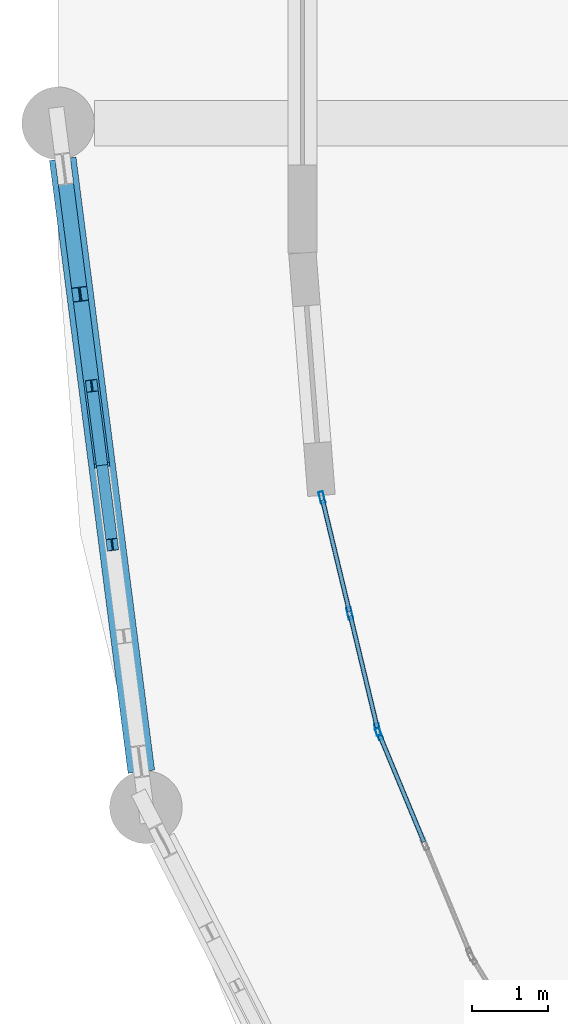
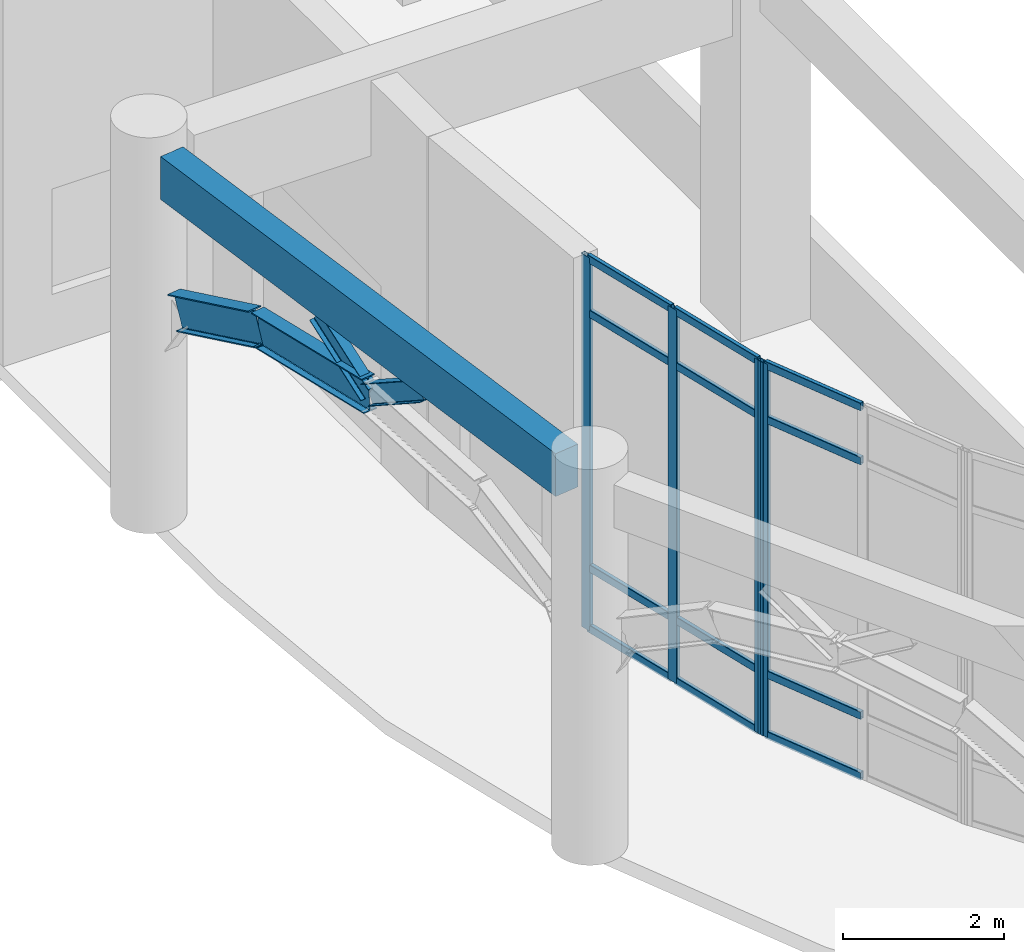
# One storey, part 7 of 82: 18 members, 3 beams, 2 elements without a shape of their own.
"""IFC4 building model written with IfcOpenShell, lengths in metres."""

from ifc_helpers import new_model, si_unit, derived_unit, direction, frame, origin, origin_2d, place, context, subcontext, project, spatial, rectangle, hollow_rectangle, i_section, extrude, material, layer, layer_set, material_profile, profile_set, type_object, element, aggregate, save


model = new_model("IFC4")

# Units and contexts
model_context = context("Model", 3, precision=1e-05, world=origin(), true_north=direction((0.0, 1.0)))
body_context = subcontext(model_context, "Body", "Model", "MODEL_VIEW")
ifc_project = project(units=[si_unit("LENGTHUNIT", "METRE"), si_unit("AREAUNIT", "SQUARE_METRE"), si_unit("VOLUMEUNIT", "CUBIC_METRE"), si_unit("PLANEANGLEUNIT", "RADIAN"), si_unit("MASSUNIT", "GRAM", prefix="KILO"), derived_unit("THERMALTRANSMITTANCEUNIT", [(si_unit("MASSUNIT", "GRAM", prefix="KILO"), 1), (si_unit("TIMEUNIT", "SECOND"), -3), (si_unit("THERMODYNAMICTEMPERATUREUNIT", "KELVIN"), -1)])], contexts=[model_context])

# Site, building, storey
site_placement = place(None, origin())
site = spatial("IfcSite", under=ifc_project, at=site_placement, CompositionType="ELEMENT")
building_placement = place(site_placement, origin())
building = spatial("IfcBuilding", under=site, at=building_placement, Name="Qinzheling Arcade Emporium", CompositionType="ELEMENT")
storey_placement = place(building_placement, origin())
storey = spatial("IfcBuildingStorey", under=building, at=storey_placement, Name="L01", CompositionType="ELEMENT", Elevation=0.0)

# Beams
ifc_material_1 = material(Name="Weathering steel Q355NH", Category="steel")
ifc_material_profile_1 = material_profile(ifc_material_1, i_section(OverallWidth=0.199951171875, OverallDepth=0.5, WebThickness=0.010009765625, FlangeThickness=0.01611328125, FilletRadius=0.01806640625, at=origin_2d()), Name="HN 500x200x10x16", Category="steel")
ifc_profile_set_1 = profile_set([ifc_material_profile_1], Name="Weathering steel Q355NH")
beam_type_1 = type_object("IfcBeamType", Name="Arcade End Arch Rib HN500 Q355NH", PredefinedType="BEAM", material=ifc_profile_set_1)
beam_1_placement = place(storey_placement, frame((0.076904296875, 24.60009765625, 3.387939453125), z_axis=(0.117893593807, -0.91987126968, 0.374082808688), x_axis=(0.991886916452, 0.127123345499, 0.0)))
element("IfcBeam", 1, at=beam_1_placement, inside=storey, type_object=beam_type_1, Name="Curved Arcade Entrance Arch ARC-L01-CV1-B01-C02", PredefinedType="BEAM", context=body_context, shape_type="SweptSolid", body=[
    extrude(i_section(OverallWidth=0.199951171875, OverallDepth=0.5, WebThickness=0.010009765625, FlangeThickness=0.01611328125, FilletRadius=0.01806640625, at=origin_2d()), origin(), (0.0, 0.0, 1.0), 1.782958984375),
])
beam_2_placement = place(storey_placement, frame((0.287109375, 22.9599609375, 4.054931640625), z_axis=(0.126655561321, -0.986065646622, 0.107855965705), x_axis=(0.991851582429, 0.127398737954, 0.0)))
element("IfcBeam", 2, at=beam_2_placement, inside=storey, type_object=beam_type_1, Name="Curved Arcade Entrance Arch ARC-L01-CV1-B01-C03", PredefinedType="BEAM", context=body_context, shape_type="SweptSolid", body=[
    extrude(i_section(OverallWidth=0.199951171875, OverallDepth=0.5, WebThickness=0.010009765625, FlangeThickness=0.01611328125, FilletRadius=0.01806640625, at=origin_2d()), origin(), (0.0, 0.0, 1.0), 2.272705078125),
])

# Members
ifc_material_profile_2 = material_profile(ifc_material_1, i_section(OverallWidth=0.14990234375, OverallDepth=0.300048828125, WebThickness=0.006591796875, FlangeThickness=0.009033203125, FilletRadius=0.012939453125, at=origin_2d()), Name="HN 300x150x6.5x9", Category="steel")
ifc_profile_set_2 = profile_set([ifc_material_profile_2], Name="Weathering steel Q355NH")
member_type_1 = type_object("IfcMemberType", Name="Arcade Spandrel Web Chord HN300 Q355NH", PredefinedType="CHORD", material=ifc_profile_set_2)
for number, where, z_axis, x_axis, name in (
    (3, (0.574951171875, 20.718994140625, 4.31005859375), (-0.109033489206, 0.846846626547, 0.520540574151), (-0.991813064487, -0.127698258068, 0.0), "Arcade Spandrel Web Chord ASW-L01-CV1-B01-W1"),
    (4, (0.574951171875, 20.718994140625, 4.31005859375), (0.109033489206, -0.846846626547, 0.520540574151), (0.991813064487, 0.127698258068, 0.0), "Arcade Spandrel Web Chord ASW-L01-CV1-B01-W2"),
):
    element("IfcMember", number, at=place(storey_placement, frame(where, z_axis=z_axis, x_axis=x_axis)), inside=storey, type_object=member_type_1, Name=name, PredefinedType="CHORD", context=body_context, shape_type="SweptSolid", body=[
        extrude(i_section(OverallWidth=0.14990234375, OverallDepth=0.300048828125, WebThickness=0.006591796875, FlangeThickness=0.009033203125, FilletRadius=0.012939453125, at=origin_2d()), origin(), (0.0, 0.0, 1.0), 1.229248046875),
    ])

# Curtain wall, member
ifc_material_2 = material(Name="Anodised aluminium and solar-control double glazing", Category="aluminium")
ifc_layer = layer(ifc_material_2, 0.159912109375, Name="Anodised aluminium and solar-control double glazing", Category="aluminium")
ifc_layer_set = layer_set([ifc_layer], Name="Anodised aluminium and solar-control double glazing")
curtain_wall_type = type_object("IfcCurtainWallType", Name="Curved Ribbon Sales Curtain Wall", PredefinedType="NOTDEFINED", material=ifc_layer_set)
curtain_wall_1_placement = place(storey_placement, origin())
curtain_wall_1 = element("IfcCurtainWall", 5, at=curtain_wall_1_placement, inside=storey, type_object=curtain_wall_type, Name="Curtain Wall CW-L01-017", PredefinedType="NOTDEFINED")
ifc_material_3 = material(Name="Anodised aluminium 6063-T6", Category="aluminium")
ifc_material_profile_3 = material_profile(ifc_material_3, hollow_rectangle(XDim=0.06005859375, YDim=0.159912109375, WallThickness=0.00390625, InnerFilletRadius=0.00390625, OuterFilletRadius=0.008056640625, at=origin_2d()), Name="RHS 160x60x4", Category="aluminium")
ifc_profile_set_3 = profile_set([ifc_material_profile_3], Name="Anodised aluminium 6063-T6")
member_type_2 = type_object("IfcMemberType", Name="Curtain Wall Mullion RHS160x60", PredefinedType="MULLION", material=ifc_profile_set_3)
member_1_placement = place(storey_placement, frame((4.20556640625, 17.19921875, 0.0), z_axis=(0.0, 0.0, 1.0), x_axis=(-0.923882919212, -0.382675256043, 0.0)))
member_1 = element("IfcMember", 6, at=member_1_placement, type_object=member_type_2, Name="CW02 mullion 3", PredefinedType="MULLION", context=body_context, shape_type="SweptSolid", body=[
    extrude(hollow_rectangle(XDim=0.06005859375, YDim=0.159912109375, WallThickness=0.00390625, InnerFilletRadius=0.00390625, OuterFilletRadius=0.008056640625, at=origin_2d()), origin(), (0.0, 0.0, 1.0), 5.659912109375),
])

# Curtain wall, members
curtain_wall_2_placement = place(storey_placement, origin())
curtain_wall_2 = element("IfcCurtainWall", 7, at=curtain_wall_2_placement, inside=storey, type_object=curtain_wall_type, Name="Curtain Wall CW-L01-018", PredefinedType="NOTDEFINED")
member_2_placement = place(storey_placement, frame((4.18701171875, 17.256103515625, 0.0), z_axis=(0.0, 0.0, 1.0), x_axis=(-0.972335980843, -0.233586687032, 0.0)))
member_2 = element("IfcMember", 8, at=member_2_placement, type_object=member_type_2, Name="CW02 mullion 1", PredefinedType="MULLION", context=body_context, shape_type="SweptSolid", body=[
    extrude(hollow_rectangle(XDim=0.06005859375, YDim=0.159912109375, WallThickness=0.00390625, InnerFilletRadius=0.00390625, OuterFilletRadius=0.008056640625, at=origin_2d()), origin(), (0.0, 0.0, 1.0), 5.659912109375),
])
member_3_placement = place(storey_placement, frame((3.822021484375, 18.775390625, 0.0), z_axis=(0.0, 0.0, 1.0), x_axis=(-0.972335980843, -0.233586687032, 0.0)))
member_3 = element("IfcMember", 9, at=member_3_placement, type_object=member_type_2, Name="CW02 mullion 2", PredefinedType="MULLION", context=body_context, shape_type="SweptSolid", body=[
    extrude(hollow_rectangle(XDim=0.06005859375, YDim=0.159912109375, WallThickness=0.00390625, InnerFilletRadius=0.00390625, OuterFilletRadius=0.008056640625, at=origin_2d()), origin(), (0.0, 0.0, 1.0), 5.659912109375),
])
member_4_placement = place(storey_placement, frame((3.45703125, 20.294921875, 0.0), z_axis=(0.0, 0.0, 1.0), x_axis=(-0.972335980843, -0.233586687032, 0.0)))
member_4 = element("IfcMember", 10, at=member_4_placement, type_object=member_type_2, Name="CW02 mullion 3", PredefinedType="MULLION", context=body_context, shape_type="SweptSolid", body=[
    extrude(hollow_rectangle(XDim=0.06005859375, YDim=0.159912109375, WallThickness=0.00390625, InnerFilletRadius=0.00390625, OuterFilletRadius=0.008056640625, at=origin_2d()), origin(), (0.0, 0.0, 1.0), 5.659912109375),
])

# Member
ifc_material_profile_4 = material_profile(ifc_material_3, hollow_rectangle(XDim=0.06005859375, YDim=0.1201171875, WallThickness=0.00390625, InnerFilletRadius=0.00390625, OuterFilletRadius=0.008056640625, at=origin_2d()), Name="RHS 120x60x4", Category="aluminium")
ifc_profile_set_4 = profile_set([ifc_material_profile_4], Name="Anodised aluminium 6063-T6")
member_type_3 = type_object("IfcMemberType", Name="Curtain Wall Transom RHS120x60", PredefinedType="USERDEFINED", material=ifc_profile_set_4)
member_5_placement = place(storey_placement, frame((4.7919921875, 15.783203125, 0.030029296875), z_axis=(-0.382595718345, 0.92391585997, 0.0), x_axis=(-0.92391585997, -0.382595718345, 0.0)))
member_5 = element("IfcMember", 11, at=member_5_placement, type_object=member_type_3, Name="CW02 transom 2.1", ObjectType="TRANSOM", PredefinedType="USERDEFINED", context=body_context, shape_type="SweptSolid", body=[
    extrude(hollow_rectangle(XDim=0.06005859375, YDim=0.1201171875, WallThickness=0.00390625, InnerFilletRadius=0.00390625, OuterFilletRadius=0.008056640625, at=origin_2d()), origin(), (0.0, 0.0, 1.0), 1.502685546875),
])

member_6_placement = place(storey_placement, frame((4.7919921875, 15.783203125, 0.949951171875), z_axis=(-0.382595718345, 0.92391585997, 0.0), x_axis=(-0.92391585997, -0.382595718345, 0.0)))
member_6 = element("IfcMember", 12, at=member_6_placement, type_object=member_type_3, Name="CW02 transom 2.2", ObjectType="TRANSOM", PredefinedType="USERDEFINED", context=body_context, shape_type="SweptSolid", body=[
    extrude(hollow_rectangle(XDim=0.06005859375, YDim=0.1201171875, WallThickness=0.00390625, InnerFilletRadius=0.00390625, OuterFilletRadius=0.008056640625, at=origin_2d()), origin(), (0.0, 0.0, 1.0), 1.502685546875),
])

member_7_placement = place(storey_placement, frame((4.7919921875, 15.783203125, 4.81005859375), z_axis=(-0.382595718345, 0.92391585997, 0.0), x_axis=(-0.92391585997, -0.382595718345, 0.0)))
member_7 = element("IfcMember", 13, at=member_7_placement, type_object=member_type_3, Name="CW02 transom 2.3", ObjectType="TRANSOM", PredefinedType="USERDEFINED", context=body_context, shape_type="SweptSolid", body=[
    extrude(hollow_rectangle(XDim=0.06005859375, YDim=0.1201171875, WallThickness=0.00390625, InnerFilletRadius=0.00390625, OuterFilletRadius=0.008056640625, at=origin_2d()), origin(), (0.0, 0.0, 1.0), 1.502685546875),
])

member_8_placement = place(storey_placement, frame((4.7919921875, 15.783203125, 5.6298828125), z_axis=(-0.382595718345, 0.92391585997, 0.0), x_axis=(-0.92391585997, -0.382595718345, 0.0)))
member_8 = element("IfcMember", 14, at=member_8_placement, type_object=member_type_3, Name="CW02 transom 2.4", ObjectType="TRANSOM", PredefinedType="USERDEFINED", context=body_context, shape_type="SweptSolid", body=[
    extrude(hollow_rectangle(XDim=0.06005859375, YDim=0.1201171875, WallThickness=0.00390625, InnerFilletRadius=0.00390625, OuterFilletRadius=0.008056640625, at=origin_2d()), origin(), (0.0, 0.0, 1.0), 1.502685546875),
])

aggregate(curtain_wall_1, [member_1, member_5, member_6, member_7, member_8])

member_9_placement = place(storey_placement, frame((4.179931640625, 17.285400390625, 0.030029296875), z_axis=(-0.233502010431, 0.972356319013, 0.0), x_axis=(-0.972356319013, -0.233502010431, 0.0)))
member_9 = element("IfcMember", 15, at=member_9_placement, type_object=member_type_3, Name="CW02 transom 1.1", ObjectType="TRANSOM", PredefinedType="USERDEFINED", context=body_context, shape_type="SweptSolid", body=[
    extrude(hollow_rectangle(XDim=0.06005859375, YDim=0.1201171875, WallThickness=0.00390625, InnerFilletRadius=0.00390625, OuterFilletRadius=0.008056640625, at=origin_2d()), origin(), (0.0, 0.0, 1.0), 1.50244140625),
])

member_10_placement = place(storey_placement, frame((4.179931640625, 17.285400390625, 0.949951171875), z_axis=(-0.233502010431, 0.972356319013, 0.0), x_axis=(-0.972356319013, -0.233502010431, 0.0)))
member_10 = element("IfcMember", 16, at=member_10_placement, type_object=member_type_3, Name="CW02 transom 1.2", ObjectType="TRANSOM", PredefinedType="USERDEFINED", context=body_context, shape_type="SweptSolid", body=[
    extrude(hollow_rectangle(XDim=0.06005859375, YDim=0.1201171875, WallThickness=0.00390625, InnerFilletRadius=0.00390625, OuterFilletRadius=0.008056640625, at=origin_2d()), origin(), (0.0, 0.0, 1.0), 1.50244140625),
])

member_11_placement = place(storey_placement, frame((4.179931640625, 17.285400390625, 4.81005859375), z_axis=(-0.233502010431, 0.972356319013, 0.0), x_axis=(-0.972356319013, -0.233502010431, 0.0)))
member_11 = element("IfcMember", 17, at=member_11_placement, type_object=member_type_3, Name="CW02 transom 1.3", ObjectType="TRANSOM", PredefinedType="USERDEFINED", context=body_context, shape_type="SweptSolid", body=[
    extrude(hollow_rectangle(XDim=0.06005859375, YDim=0.1201171875, WallThickness=0.00390625, InnerFilletRadius=0.00390625, OuterFilletRadius=0.008056640625, at=origin_2d()), origin(), (0.0, 0.0, 1.0), 1.50244140625),
])

member_12_placement = place(storey_placement, frame((4.179931640625, 17.285400390625, 5.6298828125), z_axis=(-0.233502010431, 0.972356319013, 0.0), x_axis=(-0.972356319013, -0.233502010431, 0.0)))
member_12 = element("IfcMember", 18, at=member_12_placement, type_object=member_type_3, Name="CW02 transom 1.4", ObjectType="TRANSOM", PredefinedType="USERDEFINED", context=body_context, shape_type="SweptSolid", body=[
    extrude(hollow_rectangle(XDim=0.06005859375, YDim=0.1201171875, WallThickness=0.00390625, InnerFilletRadius=0.00390625, OuterFilletRadius=0.008056640625, at=origin_2d()), origin(), (0.0, 0.0, 1.0), 1.50244140625),
])

member_13_placement = place(storey_placement, frame((3.81494140625, 18.8046875, 0.030029296875), z_axis=(-0.233502010431, 0.972356319013, 0.0), x_axis=(-0.972356319013, -0.233502010431, 0.0)))
member_13 = element("IfcMember", 19, at=member_13_placement, type_object=member_type_3, Name="CW02 transom 2.1", ObjectType="TRANSOM", PredefinedType="USERDEFINED", context=body_context, shape_type="SweptSolid", body=[
    extrude(hollow_rectangle(XDim=0.06005859375, YDim=0.1201171875, WallThickness=0.00390625, InnerFilletRadius=0.00390625, OuterFilletRadius=0.008056640625, at=origin_2d()), origin(), (0.0, 0.0, 1.0), 1.50244140625),
])

member_14_placement = place(storey_placement, frame((3.81494140625, 18.8046875, 0.949951171875), z_axis=(-0.233502010431, 0.972356319013, 0.0), x_axis=(-0.972356319013, -0.233502010431, 0.0)))
member_14 = element("IfcMember", 20, at=member_14_placement, type_object=member_type_3, Name="CW02 transom 2.2", ObjectType="TRANSOM", PredefinedType="USERDEFINED", context=body_context, shape_type="SweptSolid", body=[
    extrude(hollow_rectangle(XDim=0.06005859375, YDim=0.1201171875, WallThickness=0.00390625, InnerFilletRadius=0.00390625, OuterFilletRadius=0.008056640625, at=origin_2d()), origin(), (0.0, 0.0, 1.0), 1.50244140625),
])

member_15_placement = place(storey_placement, frame((3.81494140625, 18.8046875, 4.81005859375), z_axis=(-0.233502010431, 0.972356319013, 0.0), x_axis=(-0.972356319013, -0.233502010431, 0.0)))
member_15 = element("IfcMember", 21, at=member_15_placement, type_object=member_type_3, Name="CW02 transom 2.3", ObjectType="TRANSOM", PredefinedType="USERDEFINED", context=body_context, shape_type="SweptSolid", body=[
    extrude(hollow_rectangle(XDim=0.06005859375, YDim=0.1201171875, WallThickness=0.00390625, InnerFilletRadius=0.00390625, OuterFilletRadius=0.008056640625, at=origin_2d()), origin(), (0.0, 0.0, 1.0), 1.50244140625),
])

member_16_placement = place(storey_placement, frame((3.81494140625, 18.8046875, 5.6298828125), z_axis=(-0.233502010431, 0.972356319013, 0.0), x_axis=(-0.972356319013, -0.233502010431, 0.0)))
member_16 = element("IfcMember", 22, at=member_16_placement, type_object=member_type_3, Name="CW02 transom 2.4", ObjectType="TRANSOM", PredefinedType="USERDEFINED", context=body_context, shape_type="SweptSolid", body=[
    extrude(hollow_rectangle(XDim=0.06005859375, YDim=0.1201171875, WallThickness=0.00390625, InnerFilletRadius=0.00390625, OuterFilletRadius=0.008056640625, at=origin_2d()), origin(), (0.0, 0.0, 1.0), 1.50244140625),
])

aggregate(curtain_wall_2, [member_2, member_3, member_4, member_9, member_10, member_11, member_12, member_13, member_14, member_15, member_16])

# Beam
ifc_material_4 = material(Name="Concrete C40", Category="concrete")
ifc_material_profile_5 = material_profile(ifc_material_4, rectangle(XDim=0.35009765625, YDim=0.64990234375, at=origin_2d()), Name="RC 350x650", Category="concrete")
ifc_profile_set_5 = profile_set([ifc_material_profile_5], Name="Concrete C40")
beam_type_2 = type_object("IfcBeamType", Name="RC Spandrel Edge Beam 350x650 C40", PredefinedType="SPANDREL", material=ifc_profile_set_5)
beam_3_placement = place(storey_placement, frame((0.06005859375, 24.73388671875, 5.39501953125), z_axis=(0.127233544764, -0.991872786746, 0.0), x_axis=(0.991872786746, 0.127233544764, 0.0)))
element("IfcBeam", 23, at=beam_3_placement, inside=storey, type_object=beam_type_2, Name="Curved Arcade Spandrel BM-L01-CV1-B01", PredefinedType="SPANDREL", context=body_context, shape_type="SweptSolid", body=[
    extrude(rectangle(XDim=0.35009765625, YDim=0.64990234375, at=origin_2d()), origin(), (0.0, 0.0, 1.0), 8.095458984375),
])

save(model, "model.ifc")
